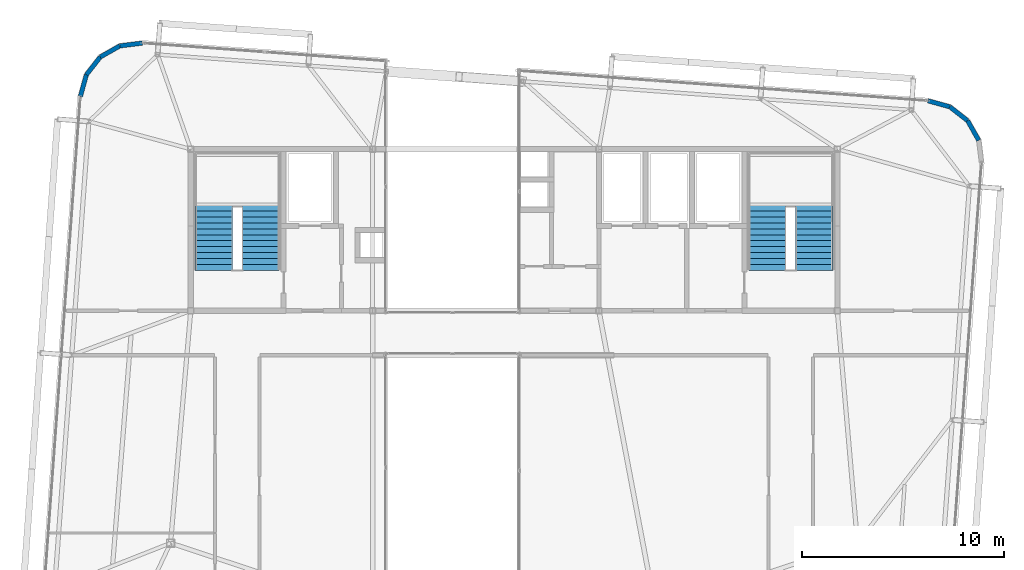
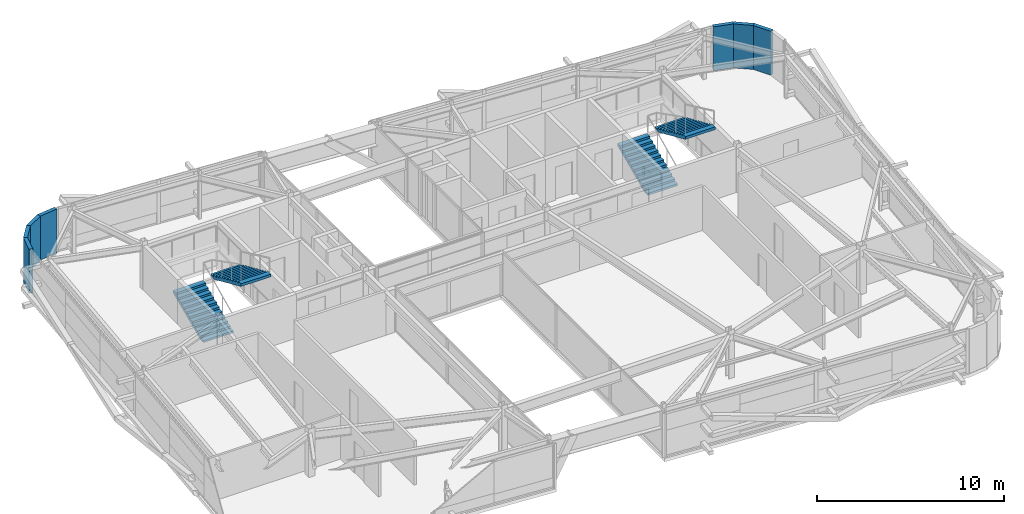
# One storey, part 38 of 40: 7 walls, 4 stair flights, 2 elements without a shape of their own.
"""IFC4 building model written with IfcOpenShell, lengths in metres."""

from ifc_helpers import new_model, si_unit, direction, frame, frame_2d, origin, place, context, subcontext, project, spatial, polyline, rectangle, outline, extrude, source, transform, mapped, material, layer, layer_set, type_object, element, aggregate, save


model = new_model("IFC4")

# Units and contexts
model_context = context("Model", 3, precision=1e-05, world=origin(), true_north=direction((0.0, 1.0)))
body_context = subcontext(model_context, "Body", "Model", "MODEL_VIEW")
ifc_project = project(units=[si_unit("LENGTHUNIT", "METRE"), si_unit("AREAUNIT", "SQUARE_METRE"), si_unit("VOLUMEUNIT", "CUBIC_METRE"), si_unit("PLANEANGLEUNIT", "RADIAN"), si_unit("MASSUNIT", "GRAM", prefix="KILO")], contexts=[model_context])

# Site, building, storey
site_placement = place(None, origin())
site = spatial("IfcSite", under=ifc_project, at=site_placement, CompositionType="ELEMENT")
building_placement = place(site_placement, origin())
building = spatial("IfcBuilding", under=site, at=building_placement, Name="Taldren Reach Tower", CompositionType="ELEMENT")
storey_placement = place(building_placement, frame((0.0, 0.0, 233.449951171875)))
storey = spatial("IfcBuildingStorey", under=building, at=storey_placement, Name="L71", CompositionType="ELEMENT", Elevation=233.449951171875)

# Walls
ifc_material_1 = material(Name="Pale Champagne Anodised Aluminium Cladding", Category="aluminium")
ifc_layer_1 = layer(ifc_material_1, 0.04, Name="Pale Champagne Anodised Aluminium Cladding", Category="aluminium")
ifc_material_2 = material(Name="Mineral Wool Acoustic Insulation", Category="insulation")
ifc_layer_2 = layer(ifc_material_2, 0.06, Name="Mineral Wool Acoustic Insulation", Category="insulation")
ifc_material_3 = material(Name="Steel Gr 350 (C350L0)", Category="steel")
ifc_layer_3 = layer(ifc_material_3, 0.12, Name="Steel Gr 350 (C350L0)", Category="steel")
ifc_layer_set = layer_set([ifc_layer_1, ifc_layer_2, ifc_layer_3], Name="Pale Champagne Aluminium Cladding and Steel Gr 350 Stud Framing")
wall_type = type_object("IfcWallType", Name="EW-CRN-220", PredefinedType="SOLIDWALL", material=ifc_layer_set)
shared_shape_1 = source(origin(), body_context, "Body", "SweptSolid", [
    extrude(rectangle(XDim=1.115966796875, YDim=0.219970703125, at=frame_2d((0.55810546875, 0.0))), origin(), (0.0, 0.0, 1.0), 2.8701171875),
])
for number, where, z_axis, x_axis, name in (
    (1, (57.4501953125, 33.40625, 0.0), (0.0, 0.0, 1.0), (-0.788597772321, 0.614909386406, 0.0), "Rounded-corner pale-metal facade wall L71-NE3"),
    (2, (14.52099609375, 36.558837890625, 0.0), (0.0, 0.0, 1.0), (-0.614909386406, -0.788597772321, 0.0), "Rounded-corner pale-metal facade wall L71-NW3"),
):
    element("IfcWall", number, at=place(storey_placement, frame(where, z_axis=z_axis, x_axis=x_axis)), inside=storey, type_object=wall_type, Name=name, PredefinedType="SOLIDWALL", context=body_context, shape_type="MappedRepresentation", body=[
        mapped(shared_shape_1, transform((0.0, 0.0, 0.0), scale=1.0)),
    ])
shared_shape_2 = source(origin(), body_context, "Body", "SweptSolid", [
    extrude(rectangle(XDim=1.11572265625, YDim=0.219970703125, at=frame_2d((0.557861328125, 0.0))), origin(), (0.0, 0.0, 1.0), 2.8701171875),
])
for number, where, z_axis, x_axis, name in (
    (3, (58.00048828125, 32.435546875, 0.0), (0.0, 0.0, 1.0), (-0.493167138628, 0.869934579941, 0.0), "Rounded-corner pale-metal facade wall L71-NE2"),
    (4, (56.570068359375, 34.092529296875, 0.0), (0.0, 0.0, 1.0), (-0.963833843713, 0.266503886865, 0.0), "Rounded-corner pale-metal facade wall L71-NE4"),
    (5, (15.49169921875, 37.109130859375, 0.0), (0.0, 0.0, 1.0), (-0.869934579941, -0.493167138628, 0.0), "Rounded-corner pale-metal facade wall L71-NW2"),
    (6, (13.834716796875, 35.6787109375, 0.0), (0.0, 0.0, 1.0), (-0.266300605026, -0.963890028874, 0.0), "Rounded-corner pale-metal facade wall L71-NW4"),
):
    element("IfcWall", number, at=place(storey_placement, frame(where, z_axis=z_axis, x_axis=x_axis)), inside=storey, type_object=wall_type, Name=name, PredefinedType="SOLIDWALL", context=body_context, shape_type="MappedRepresentation", body=[
        mapped(shared_shape_2, transform((0.0, 0.0, 0.0), scale=1.0)),
    ])
shared_shape_3 = source(origin(), body_context, "Body", "SweptSolid", [
    extrude(rectangle(XDim=1.1162109375, YDim=0.219970703125, at=frame_2d((0.55810546875, 0.0))), origin(), (0.0, 0.0, 1.0), 2.8701171875),
])
wall_placement = place(storey_placement, frame((16.599365234375, 37.24609375, 0.0), z_axis=(0.0, 0.0, 1.0), x_axis=(-0.992441899189, -0.122715429897, 0.0)))
element("IfcWall", 7, at=wall_placement, inside=storey, type_object=wall_type, Name="Rounded-corner pale-metal facade wall L71-NW1", PredefinedType="SOLIDWALL", context=body_context, shape_type="MappedRepresentation", body=[
    mapped(shared_shape_3, transform((0.0, 0.0, 0.0), scale=1.0)),
])

# Stair, stair flights
ifc_material_4 = material(Name="Concrete S50 (50 MPa)", Category="concrete")
stair_type = type_object("IfcStairType", Name="ST-HT-315", PredefinedType="HALF_TURN_STAIR", material=ifc_material_4)
stair_1_placement = place(storey_placement, origin())
stair_1 = element("IfcStair", 8, at=stair_1_placement, inside=storey, type_object=stair_type, Name="Fire-isolated exit stair ST1 L71", PredefinedType="HALF_TURN_STAIR")
stair_flight_type = type_object("IfcStairFlightType", Name="SF-STR-315", PredefinedType="STRAIGHT", material=ifc_material_4)
stair_flight_1_placement = place(storey_placement, frame((20.139892578125, 25.989990234375, 0.0), z_axis=(0.0, 0.0, 1.0), x_axis=(0.0, 1.0, 0.0)))
stair_flight_1 = element("IfcStairFlight", 9, at=stair_flight_1_placement, type_object=stair_flight_type, Name="ST1 flight 1", NumberOfRisers=12, NumberOfTreads=11, PredefinedType="STRAIGHT", RiserHeight=0.13125, TreadLength=0.295, context=body_context, shape_type="SweptSolid", body=[
    extrude(outline(polyline([(0.0, 0.0), (0.0, 0.13134765625), (0.294921875, 0.13134765625), (0.294921875, 0.262451171875), (0.590087890625, 0.262451171875), (0.590087890625, 0.393798828125), (0.885009765625, 0.393798828125), (0.885009765625, 0.52490234375), (1.179931640625, 0.52490234375), (1.179931640625, 0.65625), (1.47509765625, 0.65625), (1.47509765625, 0.78759765625), (1.77001953125, 0.78759765625), (1.77001953125, 0.918701171875), (2.06494140625, 0.918701171875), (2.06494140625, 1.050048828125), (2.360107421875, 1.050048828125), (2.360107421875, 1.18115234375), (2.655029296875, 1.18115234375), (2.655029296875, 1.3125), (2.949951171875, 1.3125), (2.949951171875, 1.44384765625), (3.2451171875, 1.44384765625), (3.2451171875, 1.574951171875), (3.2451171875, 1.268798828125), (0.393310546875, 0.0), (0.0, 0.0)])), frame((0.0, 0.919921875, 0.0), z_axis=(0.0, -1.0, 0.0), x_axis=(1.0, 0.0, 0.0)), (0.0, 0.0, 1.0), 1.840087890625),
])
stair_flight_2_placement = place(storey_placement, frame((22.4599609375, 29.235107421875, 1.574951171875), z_axis=(0.0, 0.0, 1.0), x_axis=(0.0, -1.0, 0.0)))
stair_flight_2 = element("IfcStairFlight", 10, at=stair_flight_2_placement, type_object=stair_flight_type, Name="ST1 flight 2", NumberOfRisers=12, NumberOfTreads=11, PredefinedType="STRAIGHT", RiserHeight=0.13125, TreadLength=0.295, context=body_context, shape_type="SweptSolid", body=[
    extrude(outline(polyline([(0.0, 0.0), (0.0, 0.13134765625), (0.294921875, 0.13134765625), (0.294921875, 0.262451171875), (0.590087890625, 0.262451171875), (0.590087890625, 0.393798828125), (0.885009765625, 0.393798828125), (0.885009765625, 0.52490234375), (1.179931640625, 0.52490234375), (1.179931640625, 0.65625), (1.47509765625, 0.65625), (1.47509765625, 0.78759765625), (1.77001953125, 0.78759765625), (1.77001953125, 0.918701171875), (2.06494140625, 0.918701171875), (2.06494140625, 1.050048828125), (2.360107421875, 1.050048828125), (2.360107421875, 1.18115234375), (2.655029296875, 1.18115234375), (2.655029296875, 1.3125), (2.949951171875, 1.3125), (2.949951171875, 1.44384765625), (3.2451171875, 1.44384765625), (3.2451171875, 1.574951171875), (3.2451171875, 1.268798828125), (0.393310546875, 0.0), (0.0, 0.0)])), frame((0.0, 0.919921875, 0.0), z_axis=(0.0, -1.0, 0.0), x_axis=(1.0, 0.0, 0.0)), (0.0, 0.0, 1.0), 1.840087890625),
])
aggregate(stair_1, [stair_flight_1, stair_flight_2])

stair_2_placement = place(storey_placement, origin())
stair_2 = element("IfcStair", 11, at=stair_2_placement, inside=storey, type_object=stair_type, Name="Fire-isolated exit stair ST2 L71", PredefinedType="HALF_TURN_STAIR")
stair_flight_3_placement = place(storey_placement, frame((47.5400390625, 25.989990234375, 0.0), z_axis=(0.0, 0.0, 1.0), x_axis=(0.0, 1.0, 0.0)))
stair_flight_3 = element("IfcStairFlight", 12, at=stair_flight_3_placement, type_object=stair_flight_type, Name="ST2 flight 1", NumberOfRisers=12, NumberOfTreads=11, PredefinedType="STRAIGHT", RiserHeight=0.13125, TreadLength=0.295, context=body_context, shape_type="SweptSolid", body=[
    extrude(outline(polyline([(0.0, 0.0), (0.0, 0.13134765625), (0.294921875, 0.13134765625), (0.294921875, 0.262451171875), (0.590087890625, 0.262451171875), (0.590087890625, 0.393798828125), (0.885009765625, 0.393798828125), (0.885009765625, 0.52490234375), (1.179931640625, 0.52490234375), (1.179931640625, 0.65625), (1.47509765625, 0.65625), (1.47509765625, 0.78759765625), (1.77001953125, 0.78759765625), (1.77001953125, 0.918701171875), (2.06494140625, 0.918701171875), (2.06494140625, 1.050048828125), (2.360107421875, 1.050048828125), (2.360107421875, 1.18115234375), (2.655029296875, 1.18115234375), (2.655029296875, 1.3125), (2.949951171875, 1.3125), (2.949951171875, 1.44384765625), (3.2451171875, 1.44384765625), (3.2451171875, 1.574951171875), (3.2451171875, 1.268798828125), (0.393310546875, 0.0), (0.0, 0.0)])), frame((0.0, 0.919921875, 0.0), z_axis=(0.0, -1.0, 0.0), x_axis=(1.0, 0.0, 0.0)), (0.0, 0.0, 1.0), 1.840087890625),
])
stair_flight_4_placement = place(storey_placement, frame((49.860107421875, 29.235107421875, 1.574951171875), z_axis=(0.0, 0.0, 1.0), x_axis=(0.0, -1.0, 0.0)))
stair_flight_4 = element("IfcStairFlight", 13, at=stair_flight_4_placement, type_object=stair_flight_type, Name="ST2 flight 2", NumberOfRisers=12, NumberOfTreads=11, PredefinedType="STRAIGHT", RiserHeight=0.13125, TreadLength=0.295, context=body_context, shape_type="SweptSolid", body=[
    extrude(outline(polyline([(0.0, 0.0), (0.0, 0.13134765625), (0.294921875, 0.13134765625), (0.294921875, 0.262451171875), (0.590087890625, 0.262451171875), (0.590087890625, 0.393798828125), (0.885009765625, 0.393798828125), (0.885009765625, 0.52490234375), (1.179931640625, 0.52490234375), (1.179931640625, 0.65625), (1.47509765625, 0.65625), (1.47509765625, 0.78759765625), (1.77001953125, 0.78759765625), (1.77001953125, 0.918701171875), (2.06494140625, 0.918701171875), (2.06494140625, 1.050048828125), (2.360107421875, 1.050048828125), (2.360107421875, 1.18115234375), (2.655029296875, 1.18115234375), (2.655029296875, 1.3125), (2.949951171875, 1.3125), (2.949951171875, 1.44384765625), (3.2451171875, 1.44384765625), (3.2451171875, 1.574951171875), (3.2451171875, 1.268798828125), (0.393310546875, 0.0), (0.0, 0.0)])), frame((0.0, 0.919921875, 0.0), z_axis=(0.0, -1.0, 0.0), x_axis=(1.0, 0.0, 0.0)), (0.0, 0.0, 1.0), 1.840087890625),
])
aggregate(stair_2, [stair_flight_3, stair_flight_4])

save(model, "model.ifc")
